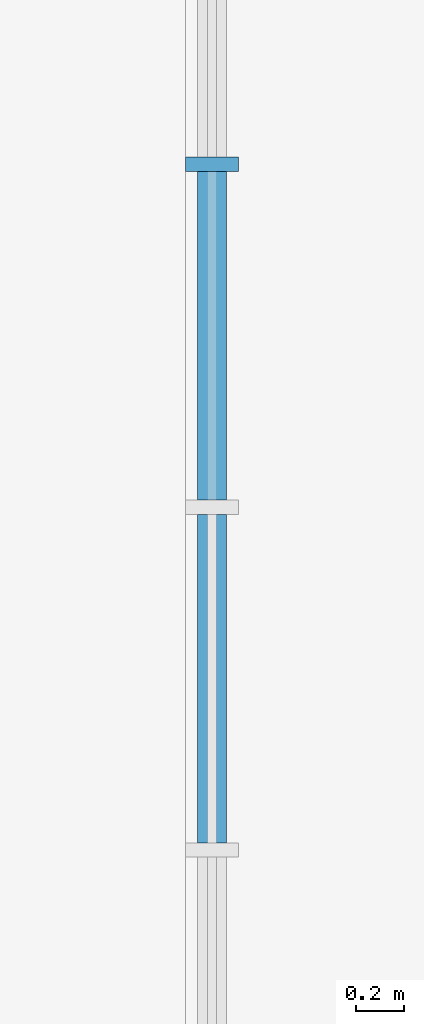
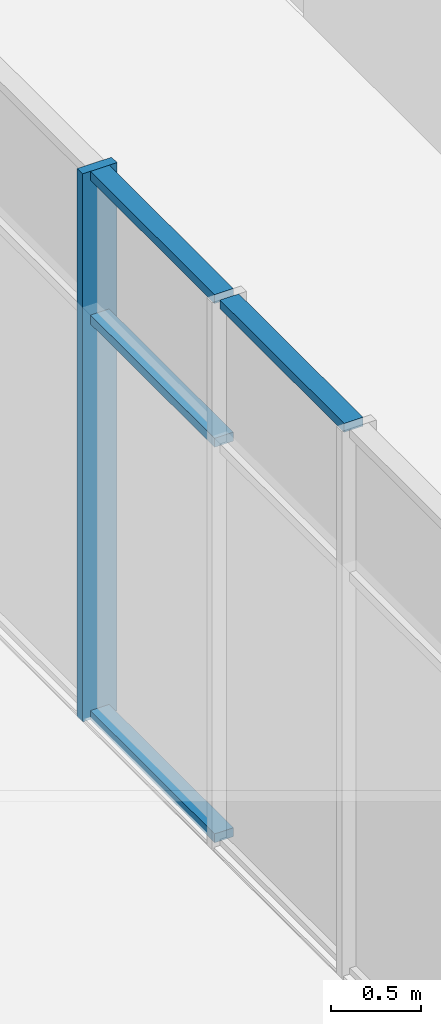
# One storey, part 41 of 106: 5 members, 1 element without a shape of its own.
"""IFC4 building model written with IfcOpenShell, lengths in metres."""

from ifc_helpers import new_model, si_unit, direction, frame, origin, origin_2d, place, context, subcontext, project, spatial, rectangle, extrude, material, material_profile, profile_set, type_object, element, aggregate, save


model = new_model("IFC4")

# Units and contexts
model_context = context("Model", 3, precision=1e-05, world=origin(), true_north=direction((0.0, 1.0)))
body_context = subcontext(model_context, "Body", "Model", "MODEL_VIEW")
ifc_project = project(units=[si_unit("LENGTHUNIT", "METRE"), si_unit("AREAUNIT", "SQUARE_METRE"), si_unit("VOLUMEUNIT", "CUBIC_METRE"), si_unit("PLANEANGLEUNIT", "RADIAN"), si_unit("MASSUNIT", "GRAM", prefix="KILO")], contexts=[model_context])

# Site, building, storey
site_placement = place(None, origin())
site = spatial("IfcSite", under=ifc_project, at=site_placement, CompositionType="ELEMENT")
building_placement = place(site_placement, origin())
building = spatial("IfcBuilding", under=site, at=building_placement, Name="Merrow Basin Faculty of Sciences", CompositionType="ELEMENT")
storey_placement = place(building_placement, origin())
storey = spatial("IfcBuildingStorey", under=building, at=storey_placement, Name="L00", CompositionType="ELEMENT", Elevation=0.0)

# Curtain wall, members
ifc_material_1 = material(Name="Aluminium alloy 6063", Category="aluminium")
curtain_wall_type = type_object("IfcCurtainWallType", Name="Arcade curtain wall 220", PredefinedType="NOTDEFINED", material=ifc_material_1)
curtain_wall_placement = place(storey_placement, origin())
curtain_wall = element("IfcCurtainWall", 1, at=curtain_wall_placement, inside=storey, type_object=curtain_wall_type, Name="Arcade curtain wall L00 3", PredefinedType="NOTDEFINED")
ifc_material_2 = material(Name="Aluminium alloy 6063", Category="aluminium")
ifc_material_profile_1 = material_profile(ifc_material_2, rectangle(XDim=0.219970703125, YDim=0.06005859375, at=origin_2d()))
ifc_profile_set_1 = profile_set([ifc_material_profile_1], Name="Aluminium alloy 6063")
member_type_1 = type_object("IfcMemberType", Name="Aluminium mullion 60x220", PredefinedType="MULLION", material=ifc_profile_set_1)
member_1_placement = place(storey_placement, frame((58.610107421875, 95.36669921875, 0.0), z_axis=(0.0, 0.0, 1.0), x_axis=(-1.0, 0.0, 0.0)))
member_1 = element("IfcMember", 2, at=member_1_placement, type_object=member_type_1, Name="CW9 mullion 6", PredefinedType="MULLION", context=body_context, shape_type="SweptSolid", body=[
    extrude(rectangle(XDim=0.219970703125, YDim=0.06005859375, at=origin_2d()), origin(), (0.0, 0.0, 1.0), 3.699951171875),
])
ifc_material_3 = material(Name="Aluminium alloy 6063", Category="aluminium")
ifc_material_profile_2 = material_profile(ifc_material_3, rectangle(XDim=0.1201171875, YDim=0.06005859375, at=origin_2d()))
ifc_profile_set_2 = profile_set([ifc_material_profile_2], Name="Aluminium alloy 6063")
member_type_2 = type_object("IfcMemberType", Name="Aluminium transom 60x120", PredefinedType="USERDEFINED", material=ifc_profile_set_2)
member_2_placement = place(storey_placement, frame((58.610107421875, 92.530029296875, 3.669921875), z_axis=(0.0, 1.0, 0.0), x_axis=(-1.0, 0.0, 0.0)))
member_2 = element("IfcMember", 3, at=member_2_placement, type_object=member_type_2, Name="CW9 transom 4.3", ObjectType="TRANSOM", PredefinedType="USERDEFINED", context=body_context, shape_type="SweptSolid", body=[
    extrude(rectangle(XDim=0.1201171875, YDim=0.06005859375, at=origin_2d()), origin(), (0.0, 0.0, 1.0), 1.373291015625),
])
member_3_placement = place(storey_placement, frame((58.610107421875, 93.96337890625, 0.030029296875), z_axis=(0.0, 1.0, 0.0), x_axis=(-1.0, 0.0, 0.0)))
member_3 = element("IfcMember", 4, at=member_3_placement, type_object=member_type_2, Name="CW9 transom 5.1", ObjectType="TRANSOM", PredefinedType="USERDEFINED", context=body_context, shape_type="SweptSolid", body=[
    extrude(rectangle(XDim=0.1201171875, YDim=0.06005859375, at=origin_2d()), origin(), (0.0, 0.0, 1.0), 1.373291015625),
])
member_4_placement = place(storey_placement, frame((58.610107421875, 93.96337890625, 2.699951171875), z_axis=(0.0, 1.0, 0.0), x_axis=(-1.0, 0.0, 0.0)))
member_4 = element("IfcMember", 5, at=member_4_placement, type_object=member_type_2, Name="CW9 transom 5.2", ObjectType="TRANSOM", PredefinedType="USERDEFINED", context=body_context, shape_type="SweptSolid", body=[
    extrude(rectangle(XDim=0.1201171875, YDim=0.06005859375, at=origin_2d()), origin(), (0.0, 0.0, 1.0), 1.373291015625),
])
member_5_placement = place(storey_placement, frame((58.610107421875, 93.96337890625, 3.669921875), z_axis=(0.0, 1.0, 0.0), x_axis=(-1.0, 0.0, 0.0)))
member_5 = element("IfcMember", 6, at=member_5_placement, type_object=member_type_2, Name="CW9 transom 5.3", ObjectType="TRANSOM", PredefinedType="USERDEFINED", context=body_context, shape_type="SweptSolid", body=[
    extrude(rectangle(XDim=0.1201171875, YDim=0.06005859375, at=origin_2d()), origin(), (0.0, 0.0, 1.0), 1.373291015625),
])
aggregate(curtain_wall, [member_1, member_2, member_3, member_4, member_5])

save(model, "model.ifc")
